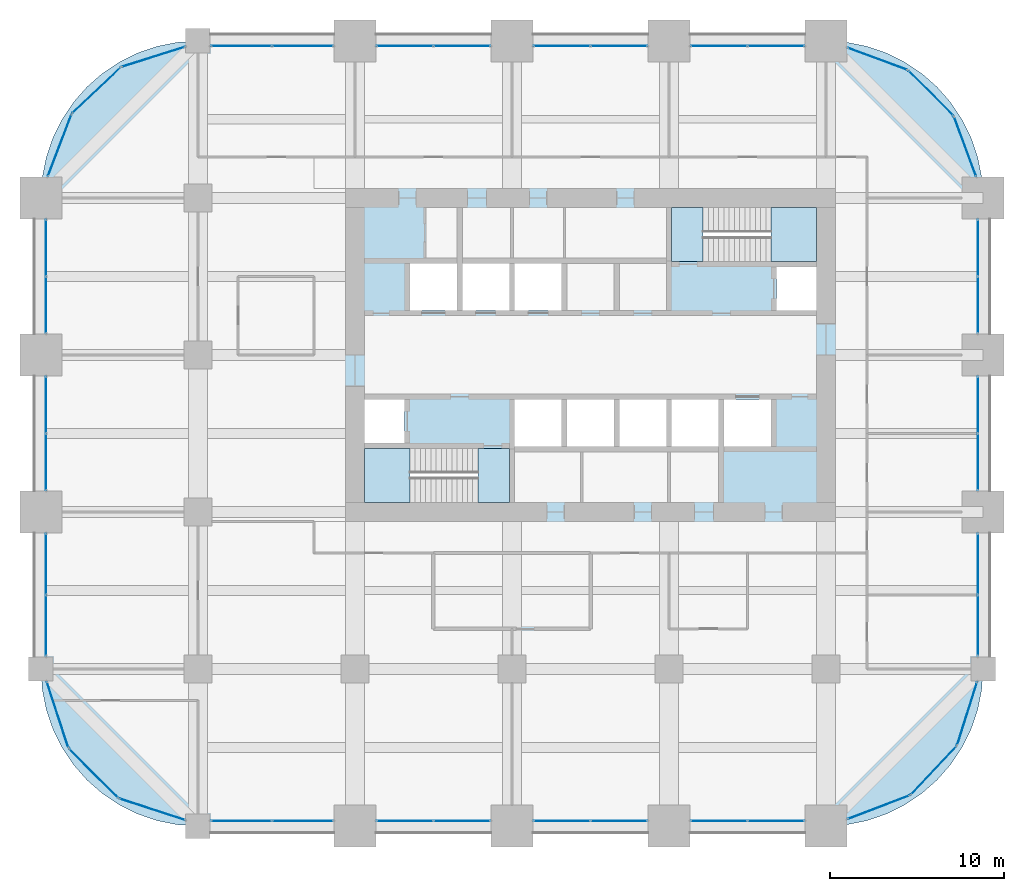
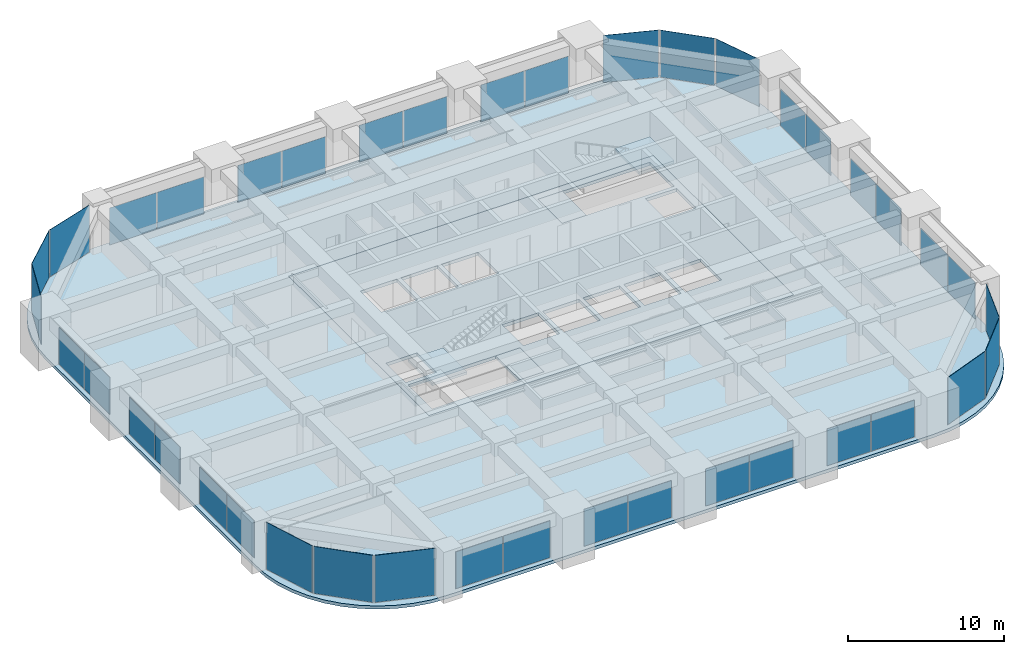
# One storey, part 28 of 32: 40 plates, 6 slabs, 28 elements without a shape of their own.
"""IFC4 building model written with IfcOpenShell, lengths in metres."""

from ifc_helpers import new_model, si_unit, direction, frame, origin, origin_2d, place, context, subcontext, project, spatial, polyline, rectangle, outline, extrude, material, layer, layer_set, type_object, element, aggregate, save


model = new_model("IFC4")

# Units and contexts
model_context = context("Model", 3, precision=1e-05, world=origin(), true_north=direction((0.0, 1.0)))
body_context = subcontext(model_context, "Body", "Model", "MODEL_VIEW")
ifc_project = project(units=[si_unit("LENGTHUNIT", "METRE"), si_unit("AREAUNIT", "SQUARE_METRE"), si_unit("VOLUMEUNIT", "CUBIC_METRE"), si_unit("PLANEANGLEUNIT", "RADIAN"), si_unit("MASSUNIT", "GRAM", prefix="KILO")], contexts=[model_context])

# Site, building, storey
site_placement = place(None, origin())
site = spatial("IfcSite", under=ifc_project, at=site_placement, CompositionType="ELEMENT")
building_placement = place(site_placement, origin())
building = spatial("IfcBuilding", under=site, at=building_placement, Name="Zorevar Civic Tower", CompositionType="ELEMENT")
storey_placement = place(building_placement, frame((0.0, 0.0, 190.199951171875)))
storey = spatial("IfcBuildingStorey", under=building, at=storey_placement, Name="L46", CompositionType="ELEMENT", Elevation=190.199951171875)

# Curtain wall, plates
ifc_material_1 = material(Name="Dark grey solar-control glass in black aluminium frame", Category="aluminium")
curtain_wall_type = type_object("IfcCurtainWallType", Name="Curtain wall CW4 high zone", PredefinedType="NOTDEFINED", material=ifc_material_1)
curtain_wall_1_placement = place(storey_placement, origin())
curtain_wall_1 = element("IfcCurtainWall", 1, at=curtain_wall_1_placement, inside=storey, type_object=curtain_wall_type, Name="CW4 L46", PredefinedType="NOTDEFINED")
ifc_material_2 = material(Name="Dark grey solar-control glass", Category="glass")
ifc_layer_1 = layer(ifc_material_2, 0.028076171875)
ifc_layer_set_1 = layer_set([ifc_layer_1], Name="CW4 panel 28")
plate_type = type_object("IfcPlateType", Name="CW4 panel 28", PredefinedType="CURTAIN_PANEL", material=ifc_layer_set_1)
plate_1_placement = place(storey_placement, frame((11.489990234375, 0.300048828125, 0.06005859375), z_axis=(0.0, 0.0, 1.0), x_axis=(1.0, 0.0, 0.0)))
plate_1 = element("IfcPlate", 2, at=plate_1_placement, type_object=plate_type, Name="CW4 panel 1.1", PredefinedType="CURTAIN_PANEL", context=body_context, shape_type="SweptSolid", body=[
    extrude(rectangle(XDim=3.4599609375, YDim=0.028076171875, at=origin_2d()), origin(), (0.0, 0.0, 1.0), 2.889892578125),
])
plate_2_placement = place(storey_placement, frame((15.010009765625, 0.300048828125, 0.06005859375), z_axis=(0.0, 0.0, 1.0), x_axis=(1.0, 0.0, 0.0)))
plate_2 = element("IfcPlate", 3, at=plate_2_placement, type_object=plate_type, Name="CW4 panel 2.1", PredefinedType="CURTAIN_PANEL", context=body_context, shape_type="SweptSolid", body=[
    extrude(rectangle(XDim=3.4599609375, YDim=0.028076171875, at=origin_2d()), origin(), (0.0, 0.0, 1.0), 2.889892578125),
])
aggregate(curtain_wall_1, [plate_1, plate_2])

curtain_wall_2_placement = place(storey_placement, origin())
curtain_wall_2 = element("IfcCurtainWall", 4, at=curtain_wall_2_placement, inside=storey, type_object=curtain_wall_type, Name="CW4 L46", PredefinedType="NOTDEFINED")
plate_3_placement = place(storey_placement, frame((11.489990234375, 44.699951171875, 0.06005859375), z_axis=(0.0, 0.0, 1.0), x_axis=(1.0, 0.0, 0.0)))
plate_3 = element("IfcPlate", 5, at=plate_3_placement, type_object=plate_type, Name="CW4 panel 1.1", PredefinedType="CURTAIN_PANEL", context=body_context, shape_type="SweptSolid", body=[
    extrude(rectangle(XDim=3.4599609375, YDim=0.028076171875, at=origin_2d()), origin(), (0.0, 0.0, 1.0), 2.889892578125),
])
plate_4_placement = place(storey_placement, frame((15.010009765625, 44.699951171875, 0.06005859375), z_axis=(0.0, 0.0, 1.0), x_axis=(1.0, 0.0, 0.0)))
plate_4 = element("IfcPlate", 6, at=plate_4_placement, type_object=plate_type, Name="CW4 panel 2.1", PredefinedType="CURTAIN_PANEL", context=body_context, shape_type="SweptSolid", body=[
    extrude(rectangle(XDim=3.4599609375, YDim=0.028076171875, at=origin_2d()), origin(), (0.0, 0.0, 1.0), 2.889892578125),
])
aggregate(curtain_wall_2, [plate_3, plate_4])

curtain_wall_3_placement = place(storey_placement, origin())
curtain_wall_3 = element("IfcCurtainWall", 7, at=curtain_wall_3_placement, inside=storey, type_object=curtain_wall_type, Name="CW4 L46", PredefinedType="NOTDEFINED")
plate_5_placement = place(storey_placement, frame((20.864990234375, 0.300048828125, 0.06005859375), z_axis=(0.0, 0.0, 1.0), x_axis=(1.0, 0.0, 0.0)))
plate_5 = element("IfcPlate", 8, at=plate_5_placement, type_object=plate_type, Name="CW4 panel 1.1", PredefinedType="CURTAIN_PANEL", context=body_context, shape_type="SweptSolid", body=[
    extrude(rectangle(XDim=3.2099609375, YDim=0.028076171875, at=origin_2d()), origin(), (0.0, 0.0, 1.0), 2.889892578125),
])
plate_6_placement = place(storey_placement, frame((24.135009765625, 0.300048828125, 0.06005859375), z_axis=(0.0, 0.0, 1.0), x_axis=(1.0, 0.0, 0.0)))
plate_6 = element("IfcPlate", 9, at=plate_6_placement, type_object=plate_type, Name="CW4 panel 2.1", PredefinedType="CURTAIN_PANEL", context=body_context, shape_type="SweptSolid", body=[
    extrude(rectangle(XDim=3.2099609375, YDim=0.028076171875, at=origin_2d()), origin(), (0.0, 0.0, 1.0), 2.889892578125),
])
aggregate(curtain_wall_3, [plate_5, plate_6])

curtain_wall_4_placement = place(storey_placement, origin())
curtain_wall_4 = element("IfcCurtainWall", 10, at=curtain_wall_4_placement, inside=storey, type_object=curtain_wall_type, Name="CW4 L46", PredefinedType="NOTDEFINED")
plate_7_placement = place(storey_placement, frame((20.864990234375, 44.699951171875, 0.06005859375), z_axis=(0.0, 0.0, 1.0), x_axis=(1.0, 0.0, 0.0)))
plate_7 = element("IfcPlate", 11, at=plate_7_placement, type_object=plate_type, Name="CW4 panel 1.1", PredefinedType="CURTAIN_PANEL", context=body_context, shape_type="SweptSolid", body=[
    extrude(rectangle(XDim=3.2099609375, YDim=0.028076171875, at=origin_2d()), origin(), (0.0, 0.0, 1.0), 2.889892578125),
])
plate_8_placement = place(storey_placement, frame((24.135009765625, 44.699951171875, 0.06005859375), z_axis=(0.0, 0.0, 1.0), x_axis=(1.0, 0.0, 0.0)))
plate_8 = element("IfcPlate", 12, at=plate_8_placement, type_object=plate_type, Name="CW4 panel 2.1", PredefinedType="CURTAIN_PANEL", context=body_context, shape_type="SweptSolid", body=[
    extrude(rectangle(XDim=3.2099609375, YDim=0.028076171875, at=origin_2d()), origin(), (0.0, 0.0, 1.0), 2.889892578125),
])
aggregate(curtain_wall_4, [plate_7, plate_8])

curtain_wall_5_placement = place(storey_placement, origin())
curtain_wall_5 = element("IfcCurtainWall", 13, at=curtain_wall_5_placement, inside=storey, type_object=curtain_wall_type, Name="CW4 L46", PredefinedType="NOTDEFINED")
plate_9_placement = place(storey_placement, frame((29.864990234375, 0.300048828125, 0.06005859375), z_axis=(0.0, 0.0, 1.0), x_axis=(1.0, 0.0, 0.0)))
plate_9 = element("IfcPlate", 14, at=plate_9_placement, type_object=plate_type, Name="CW4 panel 1.1", PredefinedType="CURTAIN_PANEL", context=body_context, shape_type="SweptSolid", body=[
    extrude(rectangle(XDim=3.2099609375, YDim=0.028076171875, at=origin_2d()), origin(), (0.0, 0.0, 1.0), 2.889892578125),
])
plate_10_placement = place(storey_placement, frame((33.135009765625, 0.300048828125, 0.06005859375), z_axis=(0.0, 0.0, 1.0), x_axis=(1.0, 0.0, 0.0)))
plate_10 = element("IfcPlate", 15, at=plate_10_placement, type_object=plate_type, Name="CW4 panel 2.1", PredefinedType="CURTAIN_PANEL", context=body_context, shape_type="SweptSolid", body=[
    extrude(rectangle(XDim=3.2099609375, YDim=0.028076171875, at=origin_2d()), origin(), (0.0, 0.0, 1.0), 2.889892578125),
])
aggregate(curtain_wall_5, [plate_9, plate_10])

curtain_wall_6_placement = place(storey_placement, origin())
curtain_wall_6 = element("IfcCurtainWall", 16, at=curtain_wall_6_placement, inside=storey, type_object=curtain_wall_type, Name="CW4 L46", PredefinedType="NOTDEFINED")
plate_11_placement = place(storey_placement, frame((29.864990234375, 44.699951171875, 0.06005859375), z_axis=(0.0, 0.0, 1.0), x_axis=(1.0, 0.0, 0.0)))
plate_11 = element("IfcPlate", 17, at=plate_11_placement, type_object=plate_type, Name="CW4 panel 1.1", PredefinedType="CURTAIN_PANEL", context=body_context, shape_type="SweptSolid", body=[
    extrude(rectangle(XDim=3.2099609375, YDim=0.028076171875, at=origin_2d()), origin(), (0.0, 0.0, 1.0), 2.889892578125),
])
plate_12_placement = place(storey_placement, frame((33.135009765625, 44.699951171875, 0.06005859375), z_axis=(0.0, 0.0, 1.0), x_axis=(1.0, 0.0, 0.0)))
plate_12 = element("IfcPlate", 18, at=plate_12_placement, type_object=plate_type, Name="CW4 panel 2.1", PredefinedType="CURTAIN_PANEL", context=body_context, shape_type="SweptSolid", body=[
    extrude(rectangle(XDim=3.2099609375, YDim=0.028076171875, at=origin_2d()), origin(), (0.0, 0.0, 1.0), 2.889892578125),
])
aggregate(curtain_wall_6, [plate_11, plate_12])

curtain_wall_7_placement = place(storey_placement, origin())
curtain_wall_7 = element("IfcCurtainWall", 19, at=curtain_wall_7_placement, inside=storey, type_object=curtain_wall_type, Name="CW4 L46", PredefinedType="NOTDEFINED")
plate_13_placement = place(storey_placement, frame((38.864990234375, 0.300048828125, 0.06005859375), z_axis=(0.0, 0.0, 1.0), x_axis=(1.0, 0.0, 0.0)))
plate_13 = element("IfcPlate", 20, at=plate_13_placement, type_object=plate_type, Name="CW4 panel 1.1", PredefinedType="CURTAIN_PANEL", context=body_context, shape_type="SweptSolid", body=[
    extrude(rectangle(XDim=3.2099609375, YDim=0.028076171875, at=origin_2d()), origin(), (0.0, 0.0, 1.0), 2.889892578125),
])
plate_14_placement = place(storey_placement, frame((42.135009765625, 0.300048828125, 0.06005859375), z_axis=(0.0, 0.0, 1.0), x_axis=(1.0, 0.0, 0.0)))
plate_14 = element("IfcPlate", 21, at=plate_14_placement, type_object=plate_type, Name="CW4 panel 2.1", PredefinedType="CURTAIN_PANEL", context=body_context, shape_type="SweptSolid", body=[
    extrude(rectangle(XDim=3.2099609375, YDim=0.028076171875, at=origin_2d()), origin(), (0.0, 0.0, 1.0), 2.889892578125),
])
aggregate(curtain_wall_7, [plate_13, plate_14])

curtain_wall_8_placement = place(storey_placement, origin())
curtain_wall_8 = element("IfcCurtainWall", 22, at=curtain_wall_8_placement, inside=storey, type_object=curtain_wall_type, Name="CW4 L46", PredefinedType="NOTDEFINED")
plate_15_placement = place(storey_placement, frame((38.864990234375, 44.699951171875, 0.06005859375), z_axis=(0.0, 0.0, 1.0), x_axis=(1.0, 0.0, 0.0)))
plate_15 = element("IfcPlate", 23, at=plate_15_placement, type_object=plate_type, Name="CW4 panel 1.1", PredefinedType="CURTAIN_PANEL", context=body_context, shape_type="SweptSolid", body=[
    extrude(rectangle(XDim=3.2099609375, YDim=0.028076171875, at=origin_2d()), origin(), (0.0, 0.0, 1.0), 2.889892578125),
])
plate_16_placement = place(storey_placement, frame((42.135009765625, 44.699951171875, 0.06005859375), z_axis=(0.0, 0.0, 1.0), x_axis=(1.0, 0.0, 0.0)))
plate_16 = element("IfcPlate", 24, at=plate_16_placement, type_object=plate_type, Name="CW4 panel 2.1", PredefinedType="CURTAIN_PANEL", context=body_context, shape_type="SweptSolid", body=[
    extrude(rectangle(XDim=3.2099609375, YDim=0.028076171875, at=origin_2d()), origin(), (0.0, 0.0, 1.0), 2.889892578125),
])
aggregate(curtain_wall_8, [plate_15, plate_16])

curtain_wall_9_placement = place(storey_placement, origin())
curtain_wall_9 = element("IfcCurtainWall", 25, at=curtain_wall_9_placement, inside=storey, type_object=curtain_wall_type, Name="CW4 L46", PredefinedType="NOTDEFINED")
plate_17_placement = place(storey_placement, frame((0.300048828125, 11.489990234375, 0.06005859375), z_axis=(0.0, 0.0, 1.0), x_axis=(0.0, 1.0, 0.0)))
plate_17 = element("IfcPlate", 26, at=plate_17_placement, type_object=plate_type, Name="CW4 panel 1.1", PredefinedType="CURTAIN_PANEL", context=body_context, shape_type="SweptSolid", body=[
    extrude(rectangle(XDim=3.4599609375, YDim=0.028076171875, at=origin_2d()), origin(), (0.0, 0.0, 1.0), 2.889892578125),
])
plate_18_placement = place(storey_placement, frame((0.300048828125, 15.010009765625, 0.06005859375), z_axis=(0.0, 0.0, 1.0), x_axis=(0.0, 1.0, 0.0)))
plate_18 = element("IfcPlate", 27, at=plate_18_placement, type_object=plate_type, Name="CW4 panel 2.1", PredefinedType="CURTAIN_PANEL", context=body_context, shape_type="SweptSolid", body=[
    extrude(rectangle(XDim=3.4599609375, YDim=0.028076171875, at=origin_2d()), origin(), (0.0, 0.0, 1.0), 2.889892578125),
])
aggregate(curtain_wall_9, [plate_17, plate_18])

curtain_wall_10_placement = place(storey_placement, origin())
curtain_wall_10 = element("IfcCurtainWall", 28, at=curtain_wall_10_placement, inside=storey, type_object=curtain_wall_type, Name="CW4 L46", PredefinedType="NOTDEFINED")
plate_19_placement = place(storey_placement, frame((53.699951171875, 11.489990234375, 0.06005859375), z_axis=(0.0, 0.0, 1.0), x_axis=(0.0, 1.0, 0.0)))
plate_19 = element("IfcPlate", 29, at=plate_19_placement, type_object=plate_type, Name="CW4 panel 1.1", PredefinedType="CURTAIN_PANEL", context=body_context, shape_type="SweptSolid", body=[
    extrude(rectangle(XDim=3.4599609375, YDim=0.028076171875, at=origin_2d()), origin(), (0.0, 0.0, 1.0), 2.889892578125),
])
plate_20_placement = place(storey_placement, frame((53.699951171875, 15.010009765625, 0.06005859375), z_axis=(0.0, 0.0, 1.0), x_axis=(0.0, 1.0, 0.0)))
plate_20 = element("IfcPlate", 30, at=plate_20_placement, type_object=plate_type, Name="CW4 panel 2.1", PredefinedType="CURTAIN_PANEL", context=body_context, shape_type="SweptSolid", body=[
    extrude(rectangle(XDim=3.4599609375, YDim=0.028076171875, at=origin_2d()), origin(), (0.0, 0.0, 1.0), 2.889892578125),
])
aggregate(curtain_wall_10, [plate_19, plate_20])

curtain_wall_11_placement = place(storey_placement, origin())
curtain_wall_11 = element("IfcCurtainWall", 31, at=curtain_wall_11_placement, inside=storey, type_object=curtain_wall_type, Name="CW4 L46", PredefinedType="NOTDEFINED")
plate_21_placement = place(storey_placement, frame((0.300048828125, 20.864990234375, 0.06005859375), z_axis=(0.0, 0.0, 1.0), x_axis=(0.0, 1.0, 0.0)))
plate_21 = element("IfcPlate", 32, at=plate_21_placement, type_object=plate_type, Name="CW4 panel 1.1", PredefinedType="CURTAIN_PANEL", context=body_context, shape_type="SweptSolid", body=[
    extrude(rectangle(XDim=3.2099609375, YDim=0.028076171875, at=origin_2d()), origin(), (0.0, 0.0, 1.0), 2.889892578125),
])
plate_22_placement = place(storey_placement, frame((0.300048828125, 24.135009765625, 0.06005859375), z_axis=(0.0, 0.0, 1.0), x_axis=(0.0, 1.0, 0.0)))
plate_22 = element("IfcPlate", 33, at=plate_22_placement, type_object=plate_type, Name="CW4 panel 2.1", PredefinedType="CURTAIN_PANEL", context=body_context, shape_type="SweptSolid", body=[
    extrude(rectangle(XDim=3.2099609375, YDim=0.028076171875, at=origin_2d()), origin(), (0.0, 0.0, 1.0), 2.889892578125),
])
aggregate(curtain_wall_11, [plate_21, plate_22])

curtain_wall_12_placement = place(storey_placement, origin())
curtain_wall_12 = element("IfcCurtainWall", 34, at=curtain_wall_12_placement, inside=storey, type_object=curtain_wall_type, Name="CW4 L46", PredefinedType="NOTDEFINED")
plate_23_placement = place(storey_placement, frame((53.699951171875, 20.864990234375, 0.06005859375), z_axis=(0.0, 0.0, 1.0), x_axis=(0.0, 1.0, 0.0)))
plate_23 = element("IfcPlate", 35, at=plate_23_placement, type_object=plate_type, Name="CW4 panel 1.1", PredefinedType="CURTAIN_PANEL", context=body_context, shape_type="SweptSolid", body=[
    extrude(rectangle(XDim=3.2099609375, YDim=0.028076171875, at=origin_2d()), origin(), (0.0, 0.0, 1.0), 2.889892578125),
])
plate_24_placement = place(storey_placement, frame((53.699951171875, 24.135009765625, 0.06005859375), z_axis=(0.0, 0.0, 1.0), x_axis=(0.0, 1.0, 0.0)))
plate_24 = element("IfcPlate", 36, at=plate_24_placement, type_object=plate_type, Name="CW4 panel 2.1", PredefinedType="CURTAIN_PANEL", context=body_context, shape_type="SweptSolid", body=[
    extrude(rectangle(XDim=3.2099609375, YDim=0.028076171875, at=origin_2d()), origin(), (0.0, 0.0, 1.0), 2.889892578125),
])
aggregate(curtain_wall_12, [plate_23, plate_24])

curtain_wall_13_placement = place(storey_placement, origin())
curtain_wall_13 = element("IfcCurtainWall", 37, at=curtain_wall_13_placement, inside=storey, type_object=curtain_wall_type, Name="CW4 L46", PredefinedType="NOTDEFINED")
plate_25_placement = place(storey_placement, frame((0.300048828125, 29.864990234375, 0.06005859375), z_axis=(0.0, 0.0, 1.0), x_axis=(0.0, 1.0, 0.0)))
plate_25 = element("IfcPlate", 38, at=plate_25_placement, type_object=plate_type, Name="CW4 panel 1.1", PredefinedType="CURTAIN_PANEL", context=body_context, shape_type="SweptSolid", body=[
    extrude(rectangle(XDim=3.2099609375, YDim=0.028076171875, at=origin_2d()), origin(), (0.0, 0.0, 1.0), 2.889892578125),
])
plate_26_placement = place(storey_placement, frame((0.300048828125, 33.135009765625, 0.06005859375), z_axis=(0.0, 0.0, 1.0), x_axis=(0.0, 1.0, 0.0)))
plate_26 = element("IfcPlate", 39, at=plate_26_placement, type_object=plate_type, Name="CW4 panel 2.1", PredefinedType="CURTAIN_PANEL", context=body_context, shape_type="SweptSolid", body=[
    extrude(rectangle(XDim=3.2099609375, YDim=0.028076171875, at=origin_2d()), origin(), (0.0, 0.0, 1.0), 2.889892578125),
])
aggregate(curtain_wall_13, [plate_25, plate_26])

curtain_wall_14_placement = place(storey_placement, origin())
curtain_wall_14 = element("IfcCurtainWall", 40, at=curtain_wall_14_placement, inside=storey, type_object=curtain_wall_type, Name="CW4 L46", PredefinedType="NOTDEFINED")
plate_27_placement = place(storey_placement, frame((53.699951171875, 29.864990234375, 0.06005859375), z_axis=(0.0, 0.0, 1.0), x_axis=(0.0, 1.0, 0.0)))
plate_27 = element("IfcPlate", 41, at=plate_27_placement, type_object=plate_type, Name="CW4 panel 1.1", PredefinedType="CURTAIN_PANEL", context=body_context, shape_type="SweptSolid", body=[
    extrude(rectangle(XDim=3.2099609375, YDim=0.028076171875, at=origin_2d()), origin(), (0.0, 0.0, 1.0), 2.889892578125),
])
plate_28_placement = place(storey_placement, frame((53.699951171875, 33.135009765625, 0.06005859375), z_axis=(0.0, 0.0, 1.0), x_axis=(0.0, 1.0, 0.0)))
plate_28 = element("IfcPlate", 42, at=plate_28_placement, type_object=plate_type, Name="CW4 panel 2.1", PredefinedType="CURTAIN_PANEL", context=body_context, shape_type="SweptSolid", body=[
    extrude(rectangle(XDim=3.2099609375, YDim=0.028076171875, at=origin_2d()), origin(), (0.0, 0.0, 1.0), 2.889892578125),
])
aggregate(curtain_wall_14, [plate_27, plate_28])

# Curtain wall, plate
curtain_wall_15_placement = place(storey_placement, origin())
curtain_wall_15 = element("IfcCurtainWall", 43, at=curtain_wall_15_placement, inside=storey, type_object=curtain_wall_type, Name="CW4 L46", PredefinedType="NOTDEFINED")
plate_29_placement = place(storey_placement, frame((48.0166015625, 1.07470703125, 0.06005859375), z_axis=(0.0, 0.0, 1.0), x_axis=(0.93458842801, 0.355730895803, 0.0)))
plate_29 = element("IfcPlate", 44, at=plate_29_placement, type_object=plate_type, Name="CW4 panel 1.1", PredefinedType="CURTAIN_PANEL", context=body_context, shape_type="SweptSolid", body=[
    extrude(rectangle(XDim=3.767333984375, YDim=0.028076171875, at=origin_2d()), origin(), (0.0, 0.0, 1.0), 3.68994140625),
])
aggregate(curtain_wall_15, [plate_29])

curtain_wall_16_placement = place(storey_placement, origin())
curtain_wall_16 = element("IfcCurtainWall", 45, at=curtain_wall_16_placement, inside=storey, type_object=curtain_wall_type, Name="CW4 L46", PredefinedType="NOTDEFINED")
plate_30_placement = place(storey_placement, frame((51.167236328125, 3.179443359375, 0.06005859375), z_axis=(0.0, 0.0, 1.0), x_axis=(0.686377907265, 0.727245053898, 0.0)))
plate_30 = element("IfcPlate", 46, at=plate_30_placement, type_object=plate_type, Name="CW4 panel 1.1", PredefinedType="CURTAIN_PANEL", context=body_context, shape_type="SweptSolid", body=[
    extrude(rectangle(XDim=3.767333984375, YDim=0.028076171875, at=origin_2d()), origin(), (0.0, 0.0, 1.0), 3.68994140625),
])
aggregate(curtain_wall_16, [plate_30])

curtain_wall_17_placement = place(storey_placement, origin())
curtain_wall_17 = element("IfcCurtainWall", 47, at=curtain_wall_17_placement, inside=storey, type_object=curtain_wall_type, Name="CW4 L46", PredefinedType="NOTDEFINED")
plate_31_placement = place(storey_placement, frame((53.08642578125, 6.446533203125, 0.06005859375), z_axis=(0.0, 0.0, 1.0), x_axis=(0.301108296077, 0.953589950678, 0.0)))
plate_31 = element("IfcPlate", 48, at=plate_31_placement, type_object=plate_type, Name="CW4 panel 1.1", PredefinedType="CURTAIN_PANEL", context=body_context, shape_type="SweptSolid", body=[
    extrude(rectangle(XDim=3.767333984375, YDim=0.028076171875, at=origin_2d()), origin(), (0.0, 0.0, 1.0), 3.68994140625),
])
aggregate(curtain_wall_17, [plate_31])

curtain_wall_18_placement = place(storey_placement, origin())
curtain_wall_18 = element("IfcCurtainWall", 49, at=curtain_wall_18_placement, inside=storey, type_object=curtain_wall_type, Name="CW4 L46", PredefinedType="NOTDEFINED")
plate_32_placement = place(storey_placement, frame((52.97119140625, 38.9462890625, 0.06005859375), z_axis=(0.0, 0.0, 1.0), x_axis=(-0.346704012033, 0.937974588163, 0.0)))
plate_32 = element("IfcPlate", 50, at=plate_32_placement, type_object=plate_type, Name="CW4 panel 1.1", PredefinedType="CURTAIN_PANEL", context=body_context, shape_type="SweptSolid", body=[
    extrude(rectangle(XDim=3.603759765625, YDim=0.028076171875, at=origin_2d()), origin(), (0.0, 0.0, 1.0), 3.68994140625),
])
aggregate(curtain_wall_18, [plate_32])

curtain_wall_19_placement = place(storey_placement, origin())
curtain_wall_19 = element("IfcCurtainWall", 51, at=curtain_wall_19_placement, inside=storey, type_object=curtain_wall_type, Name="CW4 L46", PredefinedType="NOTDEFINED")
plate_33_placement = place(storey_placement, frame((51.00927734375, 42.00927734375, 0.06005859375), z_axis=(0.0, 0.0, 1.0), x_axis=(-0.707106781187, 0.707106781187, 0.0)))
plate_33 = element("IfcPlate", 52, at=plate_33_placement, type_object=plate_type, Name="CW4 panel 1.1", PredefinedType="CURTAIN_PANEL", context=body_context, shape_type="SweptSolid", body=[
    extrude(rectangle(XDim=3.603759765625, YDim=0.028076171875, at=origin_2d()), origin(), (0.0, 0.0, 1.0), 3.68994140625),
])
aggregate(curtain_wall_19, [plate_33])

curtain_wall_20_placement = place(storey_placement, origin())
curtain_wall_20 = element("IfcCurtainWall", 53, at=curtain_wall_20_placement, inside=storey, type_object=curtain_wall_type, Name="CW4 L46", PredefinedType="NOTDEFINED")
plate_34_placement = place(storey_placement, frame((47.9462890625, 43.97119140625, 0.06005859375), z_axis=(0.0, 0.0, 1.0), x_axis=(-0.937974588163, 0.346704012033, 0.0)))
plate_34 = element("IfcPlate", 54, at=plate_34_placement, type_object=plate_type, Name="CW4 panel 1.1", PredefinedType="CURTAIN_PANEL", context=body_context, shape_type="SweptSolid", body=[
    extrude(rectangle(XDim=3.603759765625, YDim=0.028076171875, at=origin_2d()), origin(), (0.0, 0.0, 1.0), 3.68994140625),
])
aggregate(curtain_wall_20, [plate_34])

curtain_wall_21_placement = place(storey_placement, origin())
curtain_wall_21 = element("IfcCurtainWall", 55, at=curtain_wall_21_placement, inside=storey, type_object=curtain_wall_type, Name="CW4 L46", PredefinedType="NOTDEFINED")
plate_35_placement = place(storey_placement, frame((6.446533203125, 44.08642578125, 0.06005859375), z_axis=(0.0, 0.0, 1.0), x_axis=(-0.953589950678, -0.301108296077, 0.0)))
plate_35 = element("IfcPlate", 56, at=plate_35_placement, type_object=plate_type, Name="CW4 panel 1.1", PredefinedType="CURTAIN_PANEL", context=body_context, shape_type="SweptSolid", body=[
    extrude(rectangle(XDim=3.767333984375, YDim=0.028076171875, at=origin_2d()), origin(), (0.0, 0.0, 1.0), 3.68994140625),
])
aggregate(curtain_wall_21, [plate_35])

curtain_wall_22_placement = place(storey_placement, origin())
curtain_wall_22 = element("IfcCurtainWall", 57, at=curtain_wall_22_placement, inside=storey, type_object=curtain_wall_type, Name="CW4 L46", PredefinedType="NOTDEFINED")
plate_36_placement = place(storey_placement, frame((3.179443359375, 42.167236328125, 0.06005859375), z_axis=(0.0, 0.0, 1.0), x_axis=(-0.727245053898, -0.686377907265, 0.0)))
plate_36 = element("IfcPlate", 58, at=plate_36_placement, type_object=plate_type, Name="CW4 panel 1.1", PredefinedType="CURTAIN_PANEL", context=body_context, shape_type="SweptSolid", body=[
    extrude(rectangle(XDim=3.767333984375, YDim=0.028076171875, at=origin_2d()), origin(), (0.0, 0.0, 1.0), 3.68994140625),
])
aggregate(curtain_wall_22, [plate_36])

curtain_wall_23_placement = place(storey_placement, origin())
curtain_wall_23 = element("IfcCurtainWall", 59, at=curtain_wall_23_placement, inside=storey, type_object=curtain_wall_type, Name="CW4 L46", PredefinedType="NOTDEFINED")
plate_37_placement = place(storey_placement, frame((1.07470703125, 39.0166015625, 0.06005859375), z_axis=(0.0, 0.0, 1.0), x_axis=(-0.355730895803, -0.93458842801, 0.0)))
plate_37 = element("IfcPlate", 60, at=plate_37_placement, type_object=plate_type, Name="CW4 panel 1.1", PredefinedType="CURTAIN_PANEL", context=body_context, shape_type="SweptSolid", body=[
    extrude(rectangle(XDim=3.767333984375, YDim=0.028076171875, at=origin_2d()), origin(), (0.0, 0.0, 1.0), 3.68994140625),
])
aggregate(curtain_wall_23, [plate_37])

curtain_wall_24_placement = place(storey_placement, origin())
curtain_wall_24 = element("IfcCurtainWall", 61, at=curtain_wall_24_placement, inside=storey, type_object=curtain_wall_type, Name="CW4 L46", PredefinedType="NOTDEFINED")
plate_38_placement = place(storey_placement, frame((0.956787109375, 6.374755859375, 0.06005859375), z_axis=(0.0, 0.0, 1.0), x_axis=(0.310281419775, -0.950644749916, 0.0)))
plate_38 = element("IfcPlate", 62, at=plate_38_placement, type_object=plate_type, Name="CW4 panel 1.1", PredefinedType="CURTAIN_PANEL", context=body_context, shape_type="SweptSolid", body=[
    extrude(rectangle(XDim=3.9306640625, YDim=0.028076171875, at=origin_2d()), origin(), (0.0, 0.0, 1.0), 3.68994140625),
])
aggregate(curtain_wall_24, [plate_38])

curtain_wall_25_placement = place(storey_placement, origin())
curtain_wall_25 = element("IfcCurtainWall", 63, at=curtain_wall_25_placement, inside=storey, type_object=curtain_wall_type, Name="CW4 L46", PredefinedType="NOTDEFINED")
plate_39_placement = place(storey_placement, frame((3.01708984375, 3.01708984375, 0.06005859375), z_axis=(0.0, 0.0, 1.0), x_axis=(0.707106781187, -0.707106781187, 0.0)))
plate_39 = element("IfcPlate", 64, at=plate_39_placement, type_object=plate_type, Name="CW4 panel 1.1", PredefinedType="CURTAIN_PANEL", context=body_context, shape_type="SweptSolid", body=[
    extrude(rectangle(XDim=3.9306640625, YDim=0.028076171875, at=origin_2d()), origin(), (0.0, 0.0, 1.0), 3.68994140625),
])
aggregate(curtain_wall_25, [plate_39])

curtain_wall_26_placement = place(storey_placement, origin())
curtain_wall_26 = element("IfcCurtainWall", 65, at=curtain_wall_26_placement, inside=storey, type_object=curtain_wall_type, Name="CW4 L46", PredefinedType="NOTDEFINED")
plate_40_placement = place(storey_placement, frame((6.374755859375, 0.956787109375, 0.06005859375), z_axis=(0.0, 0.0, 1.0), x_axis=(0.950644749916, -0.310281419775, 0.0)))
plate_40 = element("IfcPlate", 66, at=plate_40_placement, type_object=plate_type, Name="CW4 panel 1.1", PredefinedType="CURTAIN_PANEL", context=body_context, shape_type="SweptSolid", body=[
    extrude(rectangle(XDim=3.9306640625, YDim=0.028076171875, at=origin_2d()), origin(), (0.0, 0.0, 1.0), 3.68994140625),
])
aggregate(curtain_wall_26, [plate_40])

# Slabs
ifc_material_3 = material(Name="Concrete C40/50", Category="concrete")
ifc_layer_2 = layer(ifc_material_3, 0.25)
ifc_layer_set_2 = layer_set([ifc_layer_2], Name="Floor slab 250")
slab_type_1 = type_object("IfcSlabType", Name="Floor slab 250", PredefinedType="FLOOR", material=ifc_layer_set_2)
slab_1_placement = place(storey_placement, frame((0.0, 0.0, -0.25)))
element("IfcSlab", 67, at=slab_1_placement, inside=storey, type_object=slab_type_1, Name="Floor slab L46", PredefinedType="FLOOR", context=body_context, shape_type="SweptSolid", body=[
    extrude(outline(polyline([(45.0, 0.0), (46.1748046875, 0.076904296875), (47.329345703125, 0.306640625), (48.444091796875, 0.68505859375), (49.5, 1.205810546875), (50.478759765625, 1.85986328125), (51.364013671875, 2.635986328125), (52.14013671875, 3.521240234375), (52.794189453125, 4.5), (53.31494140625, 5.555908203125), (53.693359375, 6.670654296875), (53.923095703125, 7.8251953125), (54.0, 9.0), (54.0, 36.0), (53.923095703125, 37.1748046875), (53.693359375, 38.329345703125), (53.31494140625, 39.444091796875), (52.794189453125, 40.5), (52.14013671875, 41.478759765625), (51.364013671875, 42.364013671875), (50.478759765625, 43.14013671875), (49.5, 43.794189453125), (48.444091796875, 44.31494140625), (47.329345703125, 44.693359375), (46.1748046875, 44.923095703125), (45.0, 45.0), (9.0, 45.0), (7.8251953125, 44.923095703125), (6.670654296875, 44.693359375), (5.555908203125, 44.31494140625), (4.5, 43.794189453125), (3.521240234375, 43.14013671875), (2.635986328125, 42.364013671875), (1.85986328125, 41.478759765625), (1.205810546875, 40.5), (0.68505859375, 39.444091796875), (0.306640625, 38.329345703125), (0.076904296875, 37.1748046875), (0.0, 36.0), (0.0, 9.0), (0.076904296875, 7.8251953125), (0.306640625, 6.670654296875), (0.68505859375, 5.555908203125), (1.205810546875, 4.5), (1.85986328125, 3.521240234375), (2.635986328125, 2.635986328125), (3.521240234375, 1.85986328125), (4.5, 1.205810546875), (5.555908203125, 0.68505859375), (6.670654296875, 0.306640625), (7.8251953125, 0.076904296875), (9.0, 0.0), (45.0, 0.0)]), holes=[polyline([(18.0, 18.0), (45.0, 18.0), (45.0, 36.0), (18.0, 36.0), (18.0, 18.0)])]), origin(), (0.0, 0.0, 1.0), 0.25),
])
slab_2_placement = place(storey_placement, frame((0.0, 0.0, -0.25)))
element("IfcSlab", 68, at=slab_2_placement, inside=storey, type_object=slab_type_1, Name="Core floor L46", PredefinedType="FLOOR", context=body_context, shape_type="SweptSolid", body=[
    extrude(outline(polyline([(18.0, 18.0), (45.0, 18.0), (45.0, 36.0), (18.0, 36.0), (18.0, 18.0)]), holes=[polyline([(18.550048828125, 18.550048828125), (26.85009765625, 18.550048828125), (26.85009765625, 21.64990234375), (18.550048828125, 21.64990234375), (18.550048828125, 18.550048828125)]), polyline([(36.14990234375, 32.35009765625), (44.449951171875, 32.35009765625), (44.449951171875, 35.449951171875), (36.14990234375, 35.449951171875), (36.14990234375, 32.35009765625)]), polyline([(18.550048828125, 21.949951171875), (20.85009765625, 21.949951171875), (20.85009765625, 24.449951171875), (18.550048828125, 24.449951171875), (18.550048828125, 21.949951171875)]), polyline([(42.14990234375, 29.550048828125), (44.449951171875, 29.550048828125), (44.449951171875, 32.050048828125), (42.14990234375, 32.050048828125), (42.14990234375, 29.550048828125)]), polyline([(27.14990234375, 21.75), (29.85009765625, 21.75), (29.85009765625, 24.449951171875), (27.14990234375, 24.449951171875), (27.14990234375, 21.75)]), polyline([(30.14990234375, 21.75), (32.85009765625, 21.75), (32.85009765625, 24.449951171875), (30.14990234375, 24.449951171875), (30.14990234375, 21.75)]), polyline([(33.14990234375, 21.75), (35.85009765625, 21.75), (35.85009765625, 24.449951171875), (33.14990234375, 24.449951171875), (33.14990234375, 21.75)]), polyline([(27.14990234375, 29.550048828125), (29.85009765625, 29.550048828125), (29.85009765625, 32.25), (27.14990234375, 32.25), (27.14990234375, 29.550048828125)]), polyline([(36.14990234375, 21.75), (38.85009765625, 21.75), (38.85009765625, 24.449951171875), (36.14990234375, 24.449951171875), (36.14990234375, 21.75)]), polyline([(24.14990234375, 29.550048828125), (26.85009765625, 29.550048828125), (26.85009765625, 32.25), (24.14990234375, 32.25), (24.14990234375, 29.550048828125)]), polyline([(39.14990234375, 21.75), (41.85009765625, 21.75), (41.85009765625, 24.449951171875), (39.14990234375, 24.449951171875), (39.14990234375, 21.75)]), polyline([(21.14990234375, 29.550048828125), (23.85009765625, 29.550048828125), (23.85009765625, 32.25), (21.14990234375, 32.25), (21.14990234375, 29.550048828125)])]), origin(), (0.0, 0.0, 1.0), 0.25),
])

# Stair, slabs
ifc_material_4 = material(Name="Precast concrete C40/50", Category="concrete")
stair_type = type_object("IfcStairType", Name="Stair ST 28R", PredefinedType="HALF_TURN_STAIR", material=ifc_material_4)
stair_1_placement = place(storey_placement, origin())
stair_1 = element("IfcStair", 69, at=stair_1_placement, inside=storey, type_object=stair_type, Name="Stair ST1 L46", PredefinedType="HALF_TURN_STAIR")
ifc_material_5 = material(Name="Concrete C40/50", Category="concrete")
ifc_layer_3 = layer(ifc_material_5, 0.199951171875)
ifc_layer_set_3 = layer_set([ifc_layer_3], Name="Stair landing 200")
slab_type_2 = type_object("IfcSlabType", Name="Stair landing 200", PredefinedType="LANDING", material=ifc_layer_set_3)
slab_3_placement = place(storey_placement, frame((0.0, 0.0, -0.199951171875)))
slab_3 = element("IfcSlab", 70, at=slab_3_placement, type_object=slab_type_2, Name="ST1 landing 1", PredefinedType="LANDING", context=body_context, shape_type="SweptSolid", body=[
    extrude(outline(polyline([(25.050048828125, 18.550048828125), (26.85009765625, 18.550048828125), (26.85009765625, 21.64990234375), (25.050048828125, 21.64990234375), (25.050048828125, 18.550048828125)])), origin(), (0.0, 0.0, 1.0), 0.199951171875),
])
slab_4_placement = place(storey_placement, frame((0.0, 0.0, 1.800048828125)))
slab_4 = element("IfcSlab", 71, at=slab_4_placement, type_object=slab_type_2, Name="ST1 landing 2", PredefinedType="LANDING", context=body_context, shape_type="SweptSolid", body=[
    extrude(outline(polyline([(18.550048828125, 18.550048828125), (21.14990234375, 18.550048828125), (21.14990234375, 21.64990234375), (18.550048828125, 21.64990234375), (18.550048828125, 18.550048828125)])), origin(), (0.0, 0.0, 1.0), 0.199951171875),
])
aggregate(stair_1, [slab_3, slab_4])

stair_2_placement = place(storey_placement, origin())
stair_2 = element("IfcStair", 72, at=stair_2_placement, inside=storey, type_object=stair_type, Name="Stair ST2 L46", PredefinedType="HALF_TURN_STAIR")
slab_5_placement = place(storey_placement, frame((0.0, 0.0, -0.199951171875)))
slab_5 = element("IfcSlab", 73, at=slab_5_placement, type_object=slab_type_2, Name="ST2 landing 1", PredefinedType="LANDING", context=body_context, shape_type="SweptSolid", body=[
    extrude(outline(polyline([(37.949951171875, 32.35009765625), (36.14990234375, 32.35009765625), (36.14990234375, 35.449951171875), (37.949951171875, 35.449951171875), (37.949951171875, 32.35009765625)])), origin(), (0.0, 0.0, 1.0), 0.199951171875),
])
slab_6_placement = place(storey_placement, frame((0.0, 0.0, 1.800048828125)))
slab_6 = element("IfcSlab", 74, at=slab_6_placement, type_object=slab_type_2, Name="ST2 landing 2", PredefinedType="LANDING", context=body_context, shape_type="SweptSolid", body=[
    extrude(outline(polyline([(44.449951171875, 32.35009765625), (41.85009765625, 32.35009765625), (41.85009765625, 35.449951171875), (44.449951171875, 35.449951171875), (44.449951171875, 32.35009765625)])), origin(), (0.0, 0.0, 1.0), 0.199951171875),
])
aggregate(stair_2, [slab_5, slab_6])

save(model, "model.ifc")
